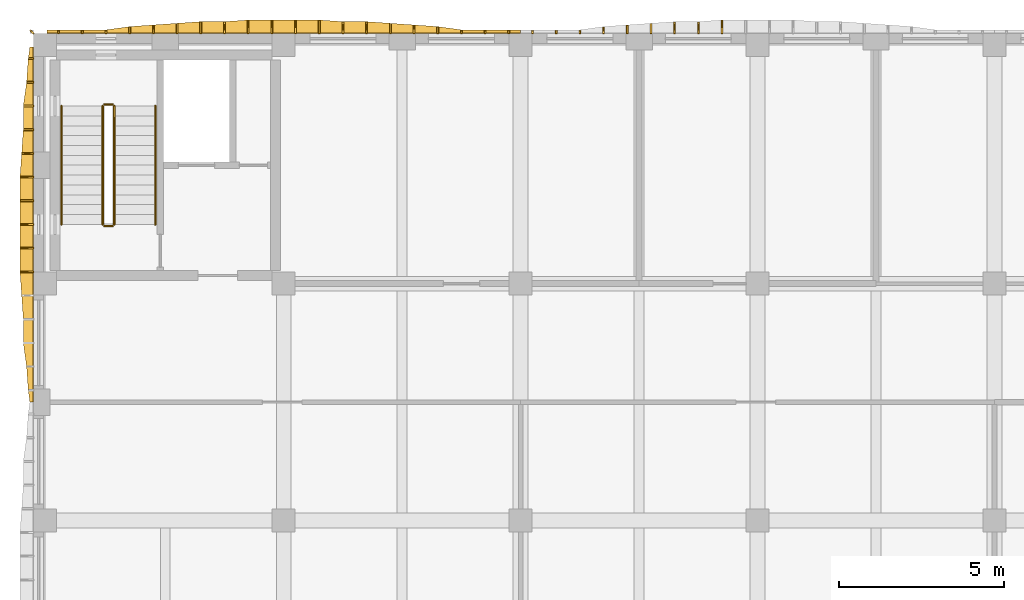
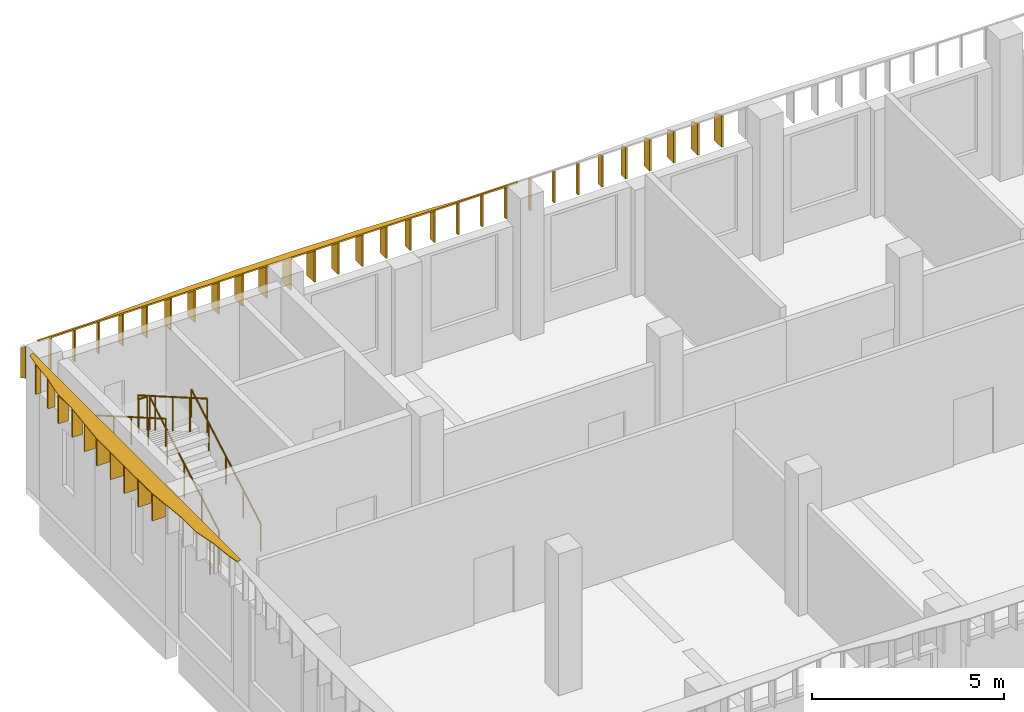
# One storey, part 46 of 59: 42 shading devices, 6 railings.
"""IFC4 building model written with IfcOpenShell, lengths in metres."""

from ifc_helpers import new_model, si_unit, direction, frame, origin, origin_2d, place, context, subcontext, project, spatial, polyline, circle, outline, extrude, material, layer, layer_set, type_object, element, save


model = new_model("IFC4")

# Units and contexts
model_context = context("Model", 3, precision=1e-05, world=origin(), true_north=direction((0.0, 1.0)))
body_context = subcontext(model_context, "Body", "Model", "MODEL_VIEW")
ifc_project = project(units=[si_unit("LENGTHUNIT", "METRE"), si_unit("AREAUNIT", "SQUARE_METRE"), si_unit("VOLUMEUNIT", "CUBIC_METRE"), si_unit("PLANEANGLEUNIT", "RADIAN"), si_unit("MASSUNIT", "GRAM", prefix="KILO")], contexts=[model_context])

# Site, building, storey
site_placement = place(None, origin())
site = spatial("IfcSite", under=ifc_project, at=site_placement, CompositionType="ELEMENT")
building_placement = place(site_placement, origin())
building = spatial("IfcBuilding", under=site, at=building_placement, Name="Ussher Court Research Institute", CompositionType="ELEMENT")
storey_placement = place(building_placement, frame((0.0, 0.0, 5.39990234375)))
storey = spatial("IfcBuildingStorey", under=building, at=storey_placement, Name="L01", CompositionType="ELEMENT", Elevation=5.39990234375)

# Shading devices
ifc_material_1 = material(Name="Bronze anodised aluminium", Category="aluminium")
ifc_layer_1 = layer(ifc_material_1, 0.050048828125)
ifc_layer_set_1 = layer_set([ifc_layer_1], Name="Bronze anodised aluminium")
shading_device_type_1 = type_object("IfcShadingDeviceType", Name="Brim blade 100 mm deep 1000 mm high canted 20 deg dry", PredefinedType="USERDEFINED", material=ifc_layer_set_1)
for number, where, z_axis, x_axis, name in (
    (1, (3.360107421875, 90.800048828125, 3.4501953125), (0.0, 0.0, 1.0), (0.0, 1.0, 0.0), "Brim blade BS17 L01"),
    (2, (4.080078125, 90.800048828125, 3.4501953125), (0.0, 0.0, 1.0), (0.0, 1.0, 0.0), "Brim blade BS17 L01"),
    (3, (4.800048828125, 90.800048828125, 3.4501953125), (0.0, 0.0, 1.0), (0.0, 1.0, 0.0), "Brim blade BS17 L01"),
    (4, (15.60009765625, 90.800048828125, 3.4501953125), (0.0, 0.0, 1.0), (0.0, 1.0, 0.0), "Brim blade BS17 L01"),
    (5, (16.320068359375, 90.800048828125, 3.4501953125), (0.0, 0.0, 1.0), (0.0, 1.0, 0.0), "Brim blade BS17 L01"),
    (6, (17.0400390625, 90.800048828125, 3.4501953125), (0.0, 0.0, 1.0), (0.0, 1.0, 0.0), "Brim blade BS17 L01"),
    (7, (17.760009765625, 90.800048828125, 3.4501953125), (0.0, 0.0, 1.0), (0.0, 1.0, 0.0), "Brim blade BS17 L01"),
    (8, (18.47998046875, 90.800048828125, 3.4501953125), (0.0, 0.0, 1.0), (0.0, 1.0, 0.0), "Brim blade BS17 L01"),
    (9, (19.199951171875, 90.800048828125, 3.4501953125), (0.0, 0.0, 1.0), (0.0, 1.0, 0.0), "Brim blade BS17 L01"),
):
    element("IfcShadingDevice", number, at=place(storey_placement, frame(where, z_axis=z_axis, x_axis=x_axis)), inside=storey, type_object=shading_device_type_1, Name=name, ObjectType="BLADE", PredefinedType="USERDEFINED", context=body_context, shape_type="SweptSolid", body=[
        extrude(outline(polyline([(0.0, 0.0), (0.099853515625, 0.0), (0.10009765625, 0.963623046875), (0.0, 1.0), (0.0, 0.0)])), frame((0.0, 0.02490234375, 0.0), z_axis=(0.0, -1.0, 0.0), x_axis=(1.0, 0.0, 0.0)), (0.0, 0.0, 1.0), 0.050048828125),
    ])
ifc_material_2 = material(Name="Bronze anodised aluminium", Category="aluminium")
ifc_layer_2 = layer(ifc_material_2, 0.050048828125)
ifc_layer_set_2 = layer_set([ifc_layer_2], Name="Bronze anodised aluminium")
shading_device_type_2 = type_object("IfcShadingDeviceType", Name="Brim blade 150 mm deep 1000 mm high canted 20 deg dry", PredefinedType="USERDEFINED", material=ifc_layer_set_2)
shading_device_1_placement = place(storey_placement, frame((2.60009765625, 90.0400390625, 3.4501953125), z_axis=(0.0, 0.0, 1.0), x_axis=(-1.0, 0.0, 0.0)))
element("IfcShadingDevice", 10, at=shading_device_1_placement, inside=storey, type_object=shading_device_type_2, Name="Brim blade BS16 L01", ObjectType="BLADE", PredefinedType="USERDEFINED", context=body_context, shape_type="SweptSolid", body=[
    extrude(outline(polyline([(0.0, 0.0), (0.150146484375, 0.0), (0.14990234375, 0.9453125), (0.0, 1.0), (0.0, 0.0)])), frame((0.0, 0.02490234375, 0.0), z_axis=(0.0, -1.0, 0.0), x_axis=(1.0, 0.0, 0.0)), (0.0, 0.0, 1.0), 0.050048828125),
])
ifc_material_3 = material(Name="Bronze anodised aluminium", Category="aluminium")
ifc_layer_3 = layer(ifc_material_3, 0.050048828125)
ifc_layer_set_3 = layer_set([ifc_layer_3], Name="Bronze anodised aluminium")
shading_device_type_3 = type_object("IfcShadingDeviceType", Name="Brim blade 200 mm deep 1000 mm high canted 20 deg dry", PredefinedType="USERDEFINED", material=ifc_layer_set_3)
for number, where, z_axis, x_axis, name in (
    (11, (5.52001953125, 90.800048828125, 3.4501953125), (0.0, 0.0, 1.0), (0.0, 1.0, 0.0), "Brim blade BS15 L01"),
    (12, (14.8798828125, 90.800048828125, 3.4501953125), (0.0, 0.0, 1.0), (0.0, 1.0, 0.0), "Brim blade BS15 L01"),
    (13, (19.919921875, 90.800048828125, 3.4501953125), (0.0, 0.0, 1.0), (0.0, 1.0, 0.0), "Brim blade BS15 L01"),
):
    element("IfcShadingDevice", number, at=place(storey_placement, frame(where, z_axis=z_axis, x_axis=x_axis)), inside=storey, type_object=shading_device_type_3, Name=name, ObjectType="BLADE", PredefinedType="USERDEFINED", context=body_context, shape_type="SweptSolid", body=[
        extrude(outline(polyline([(0.0, 0.0), (0.199951171875, 0.0), (0.199951171875, 0.927001953125), (0.0, 1.0), (0.0, 0.0)])), frame((0.0, 0.02490234375, 0.0), z_axis=(0.0, -1.0, 0.0), x_axis=(1.0, 0.0, 0.0)), (0.0, 0.0, 1.0), 0.050048828125),
    ])
shading_device_2_placement = place(storey_placement, frame((2.60009765625, 89.320068359375, 3.4501953125), z_axis=(0.0, 0.0, 1.0), x_axis=(-1.0, 0.0, 0.0)))
element("IfcShadingDevice", 14, at=shading_device_2_placement, inside=storey, type_object=shading_device_type_3, Name="Brim blade BS15 L01", ObjectType="BLADE", PredefinedType="USERDEFINED", context=body_context, shape_type="SweptSolid", body=[
    extrude(outline(polyline([(0.0, 0.0), (0.2001953125, 0.0), (0.199951171875, 0.927001953125), (0.0, 1.0), (0.0, 0.0)])), frame((0.0, 0.02490234375, 0.0), z_axis=(0.0, -1.0, 0.0), x_axis=(1.0, 0.0, 0.0)), (0.0, 0.0, 1.0), 0.050048828125),
])
ifc_material_4 = material(Name="Bronze anodised aluminium", Category="aluminium")
ifc_layer_4 = layer(ifc_material_4, 0.050048828125)
ifc_layer_set_4 = layer_set([ifc_layer_4], Name="Bronze anodised aluminium")
shading_device_type_4 = type_object("IfcShadingDeviceType", Name="Brim blade 250 mm deep 1000 mm high canted 20 deg dry", PredefinedType="USERDEFINED", material=ifc_layer_set_4)
for number, where, z_axis, x_axis, name in (
    (15, (6.239990234375, 90.800048828125, 3.4501953125), (0.0, 0.0, 1.0), (0.0, 1.0, 0.0), "Brim blade BS14 L01"),
    (16, (14.159912109375, 90.800048828125, 3.4501953125), (0.0, 0.0, 1.0), (0.0, 1.0, 0.0), "Brim blade BS14 L01"),
    (17, (20.639892578125, 90.800048828125, 3.4501953125), (0.0, 0.0, 1.0), (0.0, 1.0, 0.0), "Brim blade BS14 L01"),
):
    element("IfcShadingDevice", number, at=place(storey_placement, frame(where, z_axis=z_axis, x_axis=x_axis)), inside=storey, type_object=shading_device_type_4, Name=name, ObjectType="BLADE", PredefinedType="USERDEFINED", context=body_context, shape_type="SweptSolid", body=[
        extrude(outline(polyline([(0.0, 0.0), (0.25, 0.0), (0.25, 0.908935546875), (0.0, 1.0), (0.0, 0.0)])), frame((0.0, 0.02490234375, 0.0), z_axis=(0.0, -1.0, 0.0), x_axis=(1.0, 0.0, 0.0)), (0.0, 0.0, 1.0), 0.050048828125),
    ])
ifc_material_5 = material(Name="Bronze anodised aluminium", Category="aluminium")
ifc_layer_5 = layer(ifc_material_5, 0.050048828125)
ifc_layer_set_5 = layer_set([ifc_layer_5], Name="Bronze anodised aluminium")
shading_device_type_5 = type_object("IfcShadingDeviceType", Name="Brim blade 300 mm deep 1000 mm high canted 20 deg dry", PredefinedType="USERDEFINED", material=ifc_layer_set_5)
for number, where, z_axis, x_axis, name in (
    (18, (6.9599609375, 90.800048828125, 3.4501953125), (0.0, 0.0, 1.0), (0.0, 1.0, 0.0), "Brim blade BS13 L01"),
    (19, (13.43994140625, 90.800048828125, 3.4501953125), (0.0, 0.0, 1.0), (0.0, 1.0, 0.0), "Brim blade BS13 L01"),
    (20, (21.360107421875, 90.800048828125, 3.4501953125), (0.0, 0.0, 1.0), (0.0, 1.0, 0.0), "Brim blade BS13 L01"),
    (21, (2.60009765625, 87.8798828125, 3.4501953125), (0.0, 0.0, 1.0), (-1.0, 0.0, 0.0), "Brim blade BS13 L01"),
    (22, (2.60009765625, 88.60009765625, 3.4501953125), (0.0, 0.0, 1.0), (-1.0, 0.0, 0.0), "Brim blade BS13 L01"),
):
    element("IfcShadingDevice", number, at=place(storey_placement, frame(where, z_axis=z_axis, x_axis=x_axis)), inside=storey, type_object=shading_device_type_5, Name=name, ObjectType="BLADE", PredefinedType="USERDEFINED", context=body_context, shape_type="SweptSolid", body=[
        extrude(outline(polyline([(0.0, 0.0), (0.300048828125, 0.0), (0.300048828125, 0.890625), (0.0, 1.0), (0.0, 0.0)])), frame((0.0, 0.02490234375, 0.0), z_axis=(0.0, -1.0, 0.0), x_axis=(1.0, 0.0, 0.0)), (0.0, 0.0, 1.0), 0.050048828125),
    ])
ifc_material_6 = material(Name="Bronze anodised aluminium", Category="aluminium")
ifc_layer_6 = layer(ifc_material_6, 0.050048828125)
ifc_layer_set_6 = layer_set([ifc_layer_6], Name="Bronze anodised aluminium")
shading_device_type_6 = type_object("IfcShadingDeviceType", Name="Brim blade 350 mm deep 1000 mm high canted 20 deg dry", PredefinedType="USERDEFINED", material=ifc_layer_set_6)
for number, where, z_axis, x_axis, name in (
    (23, (7.679931640625, 90.800048828125, 3.4501953125), (0.0, 0.0, 1.0), (0.0, 1.0, 0.0), "Brim blade BS12 L01"),
    (24, (8.39990234375, 90.800048828125, 3.4501953125), (0.0, 0.0, 1.0), (0.0, 1.0, 0.0), "Brim blade BS12 L01"),
    (25, (12.0, 90.800048828125, 3.4501953125), (0.0, 0.0, 1.0), (0.0, 1.0, 0.0), "Brim blade BS12 L01"),
    (26, (12.719970703125, 90.800048828125, 3.4501953125), (0.0, 0.0, 1.0), (0.0, 1.0, 0.0), "Brim blade BS12 L01"),
    (27, (22.080078125, 90.800048828125, 3.4501953125), (0.0, 0.0, 1.0), (0.0, 1.0, 0.0), "Brim blade BS12 L01"),
    (28, (22.800048828125, 90.800048828125, 3.4501953125), (0.0, 0.0, 1.0), (0.0, 1.0, 0.0), "Brim blade BS12 L01"),
):
    element("IfcShadingDevice", number, at=place(storey_placement, frame(where, z_axis=z_axis, x_axis=x_axis)), inside=storey, type_object=shading_device_type_6, Name=name, ObjectType="BLADE", PredefinedType="USERDEFINED", context=body_context, shape_type="SweptSolid", body=[
        extrude(outline(polyline([(0.0, 0.0), (0.349853515625, 0.0), (0.35009765625, 0.87255859375), (0.0, 1.0), (0.0, 0.0)])), frame((0.0, 0.02490234375, 0.0), z_axis=(0.0, -1.0, 0.0), x_axis=(1.0, 0.0, 0.0)), (0.0, 0.0, 1.0), 0.050048828125),
    ])
shading_device_3_placement = place(storey_placement, frame((2.60009765625, 87.159912109375, 3.4501953125), z_axis=(0.0, 0.0, 1.0), x_axis=(-1.0, 0.0, 0.0)))
element("IfcShadingDevice", 29, at=shading_device_3_placement, inside=storey, type_object=shading_device_type_6, Name="Brim blade BS12 L01", ObjectType="BLADE", PredefinedType="USERDEFINED", context=body_context, shape_type="SweptSolid", body=[
    extrude(outline(polyline([(0.0, 0.0), (0.35009765625, 0.0), (0.35009765625, 0.87255859375), (0.0, 1.0), (0.0, 0.0)])), frame((0.0, 0.02490234375, 0.0), z_axis=(0.0, -1.0, 0.0), x_axis=(1.0, 0.0, 0.0)), (0.0, 0.0, 1.0), 0.050048828125),
])
ifc_material_7 = material(Name="Bronze anodised aluminium", Category="aluminium")
ifc_layer_7 = layer(ifc_material_7, 0.050048828125)
ifc_layer_set_7 = layer_set([ifc_layer_7], Name="Bronze anodised aluminium")
shading_device_type_7 = type_object("IfcShadingDeviceType", Name="Brim blade 400 mm deep 1000 mm high canted 20 deg dry", PredefinedType="USERDEFINED", material=ifc_layer_set_7)
for number, where, z_axis, x_axis, name in (
    (30, (9.1201171875, 90.800048828125, 3.4501953125), (0.0, 0.0, 1.0), (0.0, 1.0, 0.0), "Brim blade BS11 L01"),
    (31, (9.840087890625, 90.800048828125, 3.4501953125), (0.0, 0.0, 1.0), (0.0, 1.0, 0.0), "Brim blade BS11 L01"),
    (32, (10.56005859375, 90.800048828125, 3.4501953125), (0.0, 0.0, 1.0), (0.0, 1.0, 0.0), "Brim blade BS11 L01"),
    (33, (11.280029296875, 90.800048828125, 3.4501953125), (0.0, 0.0, 1.0), (0.0, 1.0, 0.0), "Brim blade BS11 L01"),
    (34, (23.52001953125, 90.800048828125, 3.4501953125), (0.0, 0.0, 1.0), (0.0, 1.0, 0.0), "Brim blade BS11 L01"),
):
    element("IfcShadingDevice", number, at=place(storey_placement, frame(where, z_axis=z_axis, x_axis=x_axis)), inside=storey, type_object=shading_device_type_7, Name=name, ObjectType="BLADE", PredefinedType="USERDEFINED", context=body_context, shape_type="SweptSolid", body=[
        extrude(outline(polyline([(0.0, 0.0), (0.39990234375, 0.0), (0.39990234375, 0.854248046875), (0.0, 1.0), (0.0, 0.0)])), frame((0.0, 0.02490234375, 0.0), z_axis=(0.0, -1.0, 0.0), x_axis=(1.0, 0.0, 0.0)), (0.0, 0.0, 1.0), 0.050048828125),
    ])
for number, where, z_axis, x_axis, name in (
    (35, (2.60009765625, 83.56005859375, 3.4501953125), (0.0, 0.0, 1.0), (-1.0, 0.0, 0.0), "Brim blade BS11 L01"),
    (36, (2.60009765625, 84.280029296875, 3.4501953125), (0.0, 0.0, 1.0), (-1.0, 0.0, 0.0), "Brim blade BS11 L01"),
    (37, (2.60009765625, 85.0, 3.4501953125), (0.0, 0.0, 1.0), (-1.0, 0.0, 0.0), "Brim blade BS11 L01"),
    (38, (2.60009765625, 85.719970703125, 3.4501953125), (0.0, 0.0, 1.0), (-1.0, 0.0, 0.0), "Brim blade BS11 L01"),
    (39, (2.60009765625, 86.43994140625, 3.4501953125), (0.0, 0.0, 1.0), (-1.0, 0.0, 0.0), "Brim blade BS11 L01"),
):
    element("IfcShadingDevice", number, at=place(storey_placement, frame(where, z_axis=z_axis, x_axis=x_axis)), inside=storey, type_object=shading_device_type_7, Name=name, ObjectType="BLADE", PredefinedType="USERDEFINED", context=body_context, shape_type="SweptSolid", body=[
        extrude(outline(polyline([(0.0, 0.0), (0.400146484375, 0.0), (0.39990234375, 0.854248046875), (0.0, 1.0), (0.0, 0.0)])), frame((0.0, 0.02490234375, 0.0), z_axis=(0.0, -1.0, 0.0), x_axis=(1.0, 0.0, 0.0)), (0.0, 0.0, 1.0), 0.050048828125),
    ])
ifc_material_8 = material(Name="Bronze anodised aluminium", Category="aluminium")
ifc_layer_8 = layer(ifc_material_8, 0.050048828125)
ifc_layer_set_8 = layer_set([ifc_layer_8], Name="Bronze anodised aluminium")
shading_device_type_8 = type_object("IfcShadingDeviceType", Name="Brim mitre blade 100 mm deep 1000 mm high canted 20 deg dry", PredefinedType="USERDEFINED", material=ifc_layer_set_8)
shading_device_4_placement = place(storey_placement, frame((2.60009765625, 90.800048828125, 3.4501953125), z_axis=(0.0, 0.0, 1.0), x_axis=(-0.707969631694, 0.706242876495, 0.0)))
element("IfcShadingDevice", 40, at=shading_device_4_placement, inside=storey, type_object=shading_device_type_8, Name="Brim mitre blade BS19 L01", ObjectType="BLADE", PredefinedType="USERDEFINED", context=body_context, shape_type="SweptSolid", body=[
    extrude(outline(polyline([(0.0, 0.0), (0.141357421875, 0.0), (0.141357421875, 0.927001953125), (0.0, 1.0), (0.0, 0.0)])), frame((0.0, 0.02490234375, 0.0), z_axis=(0.0, -1.0, 0.0), x_axis=(1.0, 0.0, 0.0)), (0.0, 0.0, 1.0), 0.050048828125),
])
ifc_material_9 = material(Name="Bronze anodised aluminium", Category="aluminium")
ifc_layer_9 = layer(ifc_material_9, 0.0400390625)
ifc_layer_set_9 = layer_set([ifc_layer_9], Name="Bronze anodised aluminium")
shading_device_type_9 = type_object("IfcShadingDeviceType", Name="Brim visor sheet 40 mm canted 20 deg dry", PredefinedType="USERDEFINED", material=ifc_layer_set_9)
shading_device_5_placement = place(storey_placement, frame((3.0, 90.813720703125, 4.48779296875), z_axis=(0.0, 0.342255789242, 0.939606819223), x_axis=(1.0, 0.0, 0.0)))
element("IfcShadingDevice", 41, at=shading_device_5_placement, inside=storey, type_object=shading_device_type_9, Name="Brim visor sheet BR2 L01", ObjectType="BRIM", PredefinedType="USERDEFINED", context=body_context, shape_type="SweptSolid", body=[
    extrude(outline(polyline([(0.0, 0.0), (14.39990234375, 0.0), (14.39990234375, 0.10650266320275441), (14.0400390625, 0.10650266320275441), (13.320068359375, 0.10650266320275441), (12.60009765625, 0.10650266320275441), (11.8798828125, 0.21285948875170477), (11.159912109375, 0.2660690410819343), (10.43994140625, 0.3193621519544592), (9.719970703125, 0.3725717042846887), (9.0, 0.3725717042846887), (8.280029296875, 0.42563541896111423), (7.56005859375, 0.42563541896111423), (6.840087890625, 0.42563541896111423), (6.1201171875, 0.42563541896111423), (5.39990234375, 0.3725717042846887), (4.679931640625, 0.3725717042846887), (3.9599609375, 0.3193621519544592), (3.239990234375, 0.2660690410819343), (2.52001953125, 0.21285948875170477), (1.800048828125, 0.10650266320275441), (1.080078125, 0.10650266320275441), (0.360107421875, 0.10650266320275441), (0.0, 0.10650266320275441), (0.0, 0.0)])), origin(), (0.0, 0.0, -1.0), 0.0400390625),
])
shading_device_6_placement = place(storey_placement, frame((2.586181640625, 79.60009765625, 4.48779296875), z_axis=(-0.342542336127, 0.0, 0.939502393802), x_axis=(0.0, 1.0, 0.0)))
element("IfcShadingDevice", 42, at=shading_device_6_placement, inside=storey, type_object=shading_device_type_9, Name="Brim visor sheet BR2 L01", ObjectType="BRIM", PredefinedType="USERDEFINED", context=body_context, shape_type="SweptSolid", body=[
    extrude(outline(polyline([(0.0, 0.0), (10.7998046875, 0.0), (10.7998046875, 0.10627326346390428), (10.43994140625, 0.1595663947966779), (9.719970703125, 0.21285952612945153), (9.0, 0.3191327895933558), (8.27978515625, 0.3191327895933558), (7.559814453125, 0.3723422924260984), (6.83984375, 0.425635423758872), (6.119873046875, 0.425635423758872), (5.39990234375, 0.425635423758872), (4.679931640625, 0.425635423758872), (3.9599609375, 0.425635423758872), (3.239990234375, 0.3723422924260984), (2.52001953125, 0.3191327895933558), (1.7998046875, 0.3191327895933558), (1.079833984375, 0.21285952612945153), (0.35986328125, 0.1595663947966779), (0.0, 0.10627326346390428), (0.0, 0.0)])), origin(), (0.0, 0.0, -1.0), 0.0400390625),
])

# Railings
ifc_material_10 = material(Name="Painted steel balustrade", Category="steel")
railing_type_1 = type_object("IfcRailingType", Name="Stair guard 1100 steel balustrade", PredefinedType="GUARDRAIL", material=ifc_material_10)
railing_1_placement = place(storey_placement, frame((5.050048828125, 85.0, 0.173095703125)))
element("IfcRailing", 43, at=railing_1_placement, inside=storey, type_object=railing_type_1, Name="L01 D1 stair guard 1", PredefinedType="GUARDRAIL", context=body_context, shape_type="SweptSolid", body=[
    extrude(circle(Radius=0.02392578125, at=origin_2d()), frame((0.0, 0.0, 1.076171875), z_axis=(0.0, 0.866193409371, 0.499708892819), x_axis=(-1.0, 0.0, 0.0)), (0.0, 0.0, 1.0), 4.15625),
    extrude(circle(Radius=0.02099609375, at=origin_2d()), origin(), (0.0, 0.0, 1.0), 1.052001953125),
    extrude(circle(Radius=0.02099609375, at=origin_2d()), frame((0.0, 0.89990234375, 0.519287109375)), (0.0, 0.0, 1.0), 1.052001953125),
    extrude(circle(Radius=0.02099609375, at=origin_2d()), frame((0.0, 1.800048828125, 1.03857421875)), (0.0, 0.0, 1.0), 1.052001953125),
    extrude(circle(Radius=0.02099609375, at=origin_2d()), frame((0.0, 2.7001953125, 1.5576171875)), (0.0, 0.0, 1.0), 1.052001953125),
    extrude(circle(Radius=0.02099609375, at=origin_2d()), frame((0.0, 3.60009765625, 2.076904296875)), (0.0, 0.0, 1.0), 1.052001953125),
])
railing_2_placement = place(storey_placement, frame((5.0, 88.64990234375, 2.25)))
element("IfcRailing", 44, at=railing_2_placement, inside=storey, type_object=railing_type_1, Name="L01 D1 stair guard 2", PredefinedType="GUARDRAIL", context=body_context, shape_type="SweptSolid", body=[
    extrude(circle(Radius=0.02392578125, at=origin_2d()), frame((0.0, 0.0, 1.076171875), z_axis=(-1.0, 0.0, 0.0), x_axis=(0.0, -1.0, 0.0)), (0.0, 0.0, 1.0), 0.25),
    extrude(circle(Radius=0.02099609375, at=origin_2d()), origin(), (0.0, 0.0, 1.0), 1.052001953125),
    extrude(circle(Radius=0.02099609375, at=origin_2d()), frame((-0.25, 0.0, 0.0)), (0.0, 0.0, 1.0), 1.052001953125),
])
railing_3_placement = place(storey_placement, frame((4.699951171875, 88.60009765625, 2.423095703125)))
element("IfcRailing", 45, at=railing_3_placement, inside=storey, type_object=railing_type_1, Name="L01 D1 stair guard 3", PredefinedType="GUARDRAIL", context=body_context, shape_type="SweptSolid", body=[
    extrude(circle(Radius=0.02392578125, at=origin_2d()), frame((0.0, 0.0, 1.076171875), z_axis=(0.0, -0.866193409371, 0.499708892819), x_axis=(1.0, 0.0, 0.0)), (0.0, 0.0, 1.0), 4.15625),
    extrude(circle(Radius=0.02099609375, at=origin_2d()), origin(), (0.0, 0.0, 1.0), 1.052001953125),
    extrude(circle(Radius=0.02099609375, at=origin_2d()), frame((0.0, -0.89990234375, 0.519287109375)), (0.0, 0.0, 1.0), 1.052001953125),
    extrude(circle(Radius=0.02099609375, at=origin_2d()), frame((0.0, -1.800048828125, 1.03857421875)), (0.0, 0.0, 1.0), 1.052001953125),
    extrude(circle(Radius=0.02099609375, at=origin_2d()), frame((0.0, -2.7001953125, 1.5576171875)), (0.0, 0.0, 1.0), 1.052001953125),
    extrude(circle(Radius=0.02099609375, at=origin_2d()), frame((0.0, -3.60009765625, 2.076904296875)), (0.0, 0.0, 1.0), 1.052001953125),
])
railing_4_placement = place(storey_placement, frame((5.0, 84.949951171875, 0.0)))
element("IfcRailing", 46, at=railing_4_placement, inside=storey, type_object=railing_type_1, Name="L01 D1 stair guard 4", PredefinedType="GUARDRAIL", context=body_context, shape_type="SweptSolid", body=[
    extrude(circle(Radius=0.02392578125, at=origin_2d()), frame((0.0, 0.0, 1.076171875), z_axis=(-1.0, 0.0, 0.0), x_axis=(0.0, -1.0, 0.0)), (0.0, 0.0, 1.0), 0.25),
    extrude(circle(Radius=0.02099609375, at=origin_2d()), origin(), (0.0, 0.0, 1.0), 1.052001953125),
    extrude(circle(Radius=0.02099609375, at=origin_2d()), frame((-0.25, 0.0, 0.0)), (0.0, 0.0, 1.0), 1.052001953125),
])
ifc_material_11 = material(Name="Painted steel handrail", Category="steel")
railing_type_2 = type_object("IfcRailingType", Name="Stair handrail 900 steel", PredefinedType="HANDRAIL", material=ifc_material_11)
railing_5_placement = place(storey_placement, frame((6.300048828125, 85.0, 0.173095703125)))
element("IfcRailing", 47, at=railing_5_placement, inside=storey, type_object=railing_type_2, Name="L01 D1 stair handrail 1", PredefinedType="HANDRAIL", context=body_context, shape_type="SweptSolid", body=[
    extrude(circle(Radius=0.02392578125, at=origin_2d()), frame((0.0, 0.0, 0.8759765625), z_axis=(0.0, 0.866193409371, 0.499708892819), x_axis=(-1.0, 0.0, 0.0)), (0.0, 0.0, 1.0), 4.15625),
    extrude(circle(Radius=0.02099609375, at=origin_2d()), origin(), (0.0, 0.0, 1.0), 0.851806640625),
    extrude(circle(Radius=0.02099609375, at=origin_2d()), frame((0.0, 0.89990234375, 0.519287109375)), (0.0, 0.0, 1.0), 0.851806640625),
    extrude(circle(Radius=0.02099609375, at=origin_2d()), frame((0.0, 1.800048828125, 1.03857421875)), (0.0, 0.0, 1.0), 0.851806640625),
    extrude(circle(Radius=0.02099609375, at=origin_2d()), frame((0.0, 2.7001953125, 1.5576171875)), (0.0, 0.0, 1.0), 0.851806640625),
    extrude(circle(Radius=0.02099609375, at=origin_2d()), frame((0.0, 3.60009765625, 2.076904296875)), (0.0, 0.0, 1.0), 0.851806640625),
])
railing_6_placement = place(storey_placement, frame((3.449951171875, 88.60009765625, 2.423095703125)))
element("IfcRailing", 48, at=railing_6_placement, inside=storey, type_object=railing_type_2, Name="L01 D1 stair handrail 2", PredefinedType="HANDRAIL", context=body_context, shape_type="SweptSolid", body=[
    extrude(circle(Radius=0.02392578125, at=origin_2d()), frame((0.0, 0.0, 0.8759765625), z_axis=(0.0, -0.866193409371, 0.499708892819), x_axis=(1.0, 0.0, 0.0)), (0.0, 0.0, 1.0), 4.15625),
    extrude(circle(Radius=0.02099609375, at=origin_2d()), origin(), (0.0, 0.0, 1.0), 0.851806640625),
    extrude(circle(Radius=0.02099609375, at=origin_2d()), frame((0.0, -0.89990234375, 0.519287109375)), (0.0, 0.0, 1.0), 0.851806640625),
    extrude(circle(Radius=0.02099609375, at=origin_2d()), frame((0.0, -1.800048828125, 1.03857421875)), (0.0, 0.0, 1.0), 0.851806640625),
    extrude(circle(Radius=0.02099609375, at=origin_2d()), frame((0.0, -2.7001953125, 1.5576171875)), (0.0, 0.0, 1.0), 0.851806640625),
    extrude(circle(Radius=0.02099609375, at=origin_2d()), frame((0.0, -3.60009765625, 2.076904296875)), (0.0, 0.0, 1.0), 0.851806640625),
])

save(model, "model.ifc")
